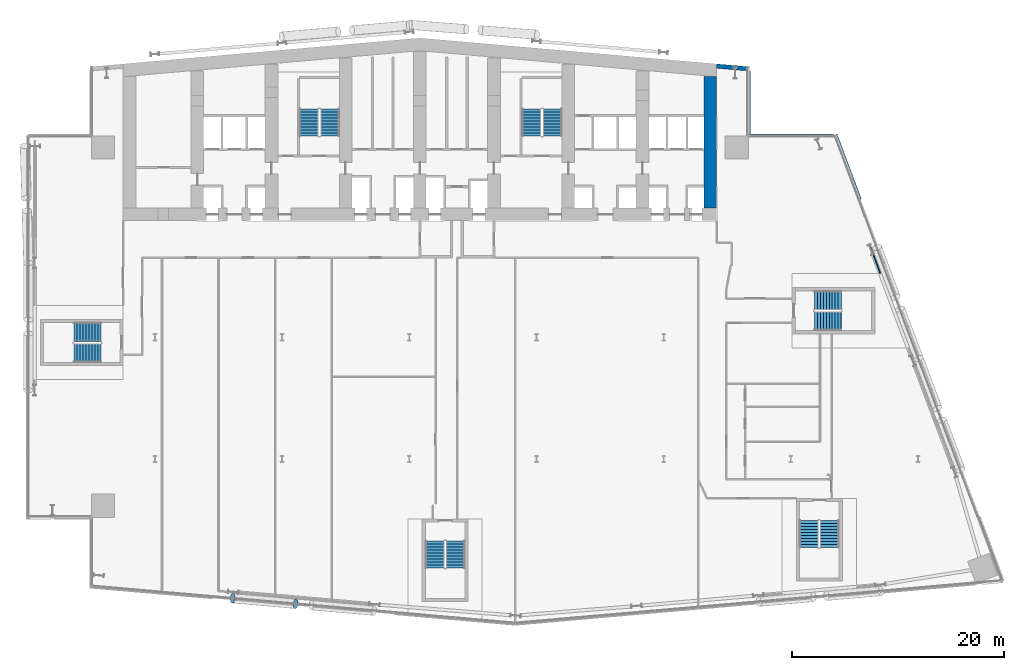
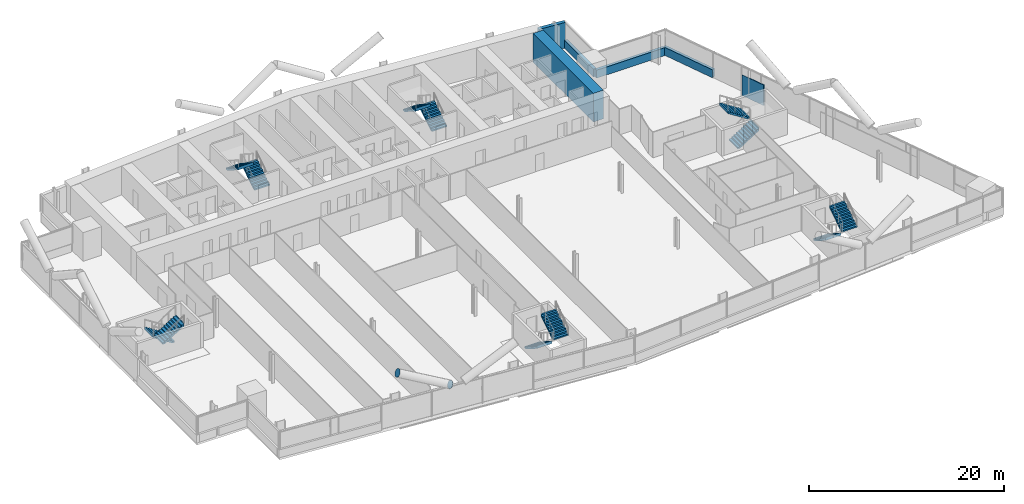
# One storey, part 18 of 25: 12 stair flights, 6 walls, 2 discrete accessories, 6 elements without a shape of their own.
"""IFC4 building model written with IfcOpenShell, lengths in metres."""

from ifc_helpers import new_model, si_unit, direction, frame, frame_2d, origin, origin_2d, place, context, subcontext, project, spatial, polyline, rectangle, circle, outline, extrude, material, layer, layer_set, material_profile, profile_set, type_object, element, aggregate, save


model = new_model("IFC4")

# Units and contexts
model_context = context("Model", 3, precision=1e-05, world=origin(), true_north=direction((0.0, 1.0)))
body_context = subcontext(model_context, "Body", "Model", "MODEL_VIEW")
ifc_project = project(units=[si_unit("LENGTHUNIT", "METRE"), si_unit("AREAUNIT", "SQUARE_METRE"), si_unit("VOLUMEUNIT", "CUBIC_METRE"), si_unit("PLANEANGLEUNIT", "RADIAN"), si_unit("MASSUNIT", "GRAM", prefix="KILO")], contexts=[model_context])

# Site, building, storey
site_placement = place(None, origin())
site = spatial("IfcSite", under=ifc_project, at=site_placement, CompositionType="ELEMENT")
building_placement = place(site_placement, origin())
building = spatial("IfcBuilding", under=site, at=building_placement, Name="Wharfspan Tower", CompositionType="ELEMENT")
storey_placement = place(building_placement, frame((0.0, 0.0, 63.100098)))
storey = spatial("IfcBuildingStorey", under=building, at=storey_placement, Name="L12", CompositionType="ELEMENT", Elevation=63.100098)

# Walls
ifc_material_1 = material(Name="Concrete C70/85", Category="concrete")
ifc_layer_1 = layer(ifc_material_1, 1.199951)
ifc_layer_set_1 = layer_set([ifc_layer_1], Name="Concrete C70/85")
wall_type_1 = type_object("IfcWallType", Name="Core wall 1200 C70/85", PredefinedType="SHEAR", material=ifc_layer_set_1)
wall_1_placement = place(storey_placement, frame((64.399902, 35.199951, 0.0), z_axis=(0.0, 0.0, 1.0), x_axis=(0.0, 1.0, 0.0)))
element("IfcWall", 1, at=wall_1_placement, inside=storey, type_object=wall_type_1, Name="Core cross wall EW1 L12", PredefinedType="SHEAR", context=body_context, shape_type="SweptSolid", body=[
    extrude(rectangle(XDim=12.382812, YDim=1.199951, at=frame_2d((6.191406, 0.0))), origin(), (0.0, 0.0, 1.0), 3.599854),
])
ifc_material_2 = material(Name="Gypsum board on steel studs", Category="steel")
ifc_layer_2 = layer(ifc_material_2, 0.100098)
ifc_layer_set_2 = layer_set([ifc_layer_2], Name="Gypsum board on steel studs")
wall_type_2 = type_object("IfcWallType", Name="Partition 100", PredefinedType="PARTITIONING", material=ifc_layer_set_2)
wall_2_placement = place(storey_placement, frame((80.44751, 29.02002, 0.0), z_axis=(0.0, 0.0, 1.0), x_axis=(-0.35129, 0.93627, 0.0)))
element("IfcWall", 2, at=wall_2_placement, inside=storey, type_object=wall_type_2, Name="Partition L12.w044", PredefinedType="PARTITIONING", context=body_context, shape_type="SweptSolid", body=[
    extrude(rectangle(XDim=2.910645, YDim=0.100098, at=frame_2d((1.455322, 0.0))), origin(), (0.0, 0.0, 1.0), 2.579834),
])
ifc_material_3 = material(Name="Concrete C40/50", Category="concrete")
ifc_layer_3 = layer(ifc_material_3, 0.350098)
ifc_layer_set_3 = layer_set([ifc_layer_3], Name="Concrete C40/50")
wall_type_3 = type_object("IfcWallType", Name="SPANDREL EXPOSED CONCRETE 350", PredefinedType="SOLIDWALL", material=ifc_layer_set_3)
wall_3_placement = place(storey_placement, frame((78.494141, 36.029785, 0.0), z_axis=(0.0, 0.0, 1.0), x_axis=(-0.351108, 0.936338, 0.0)))
element("IfcWall", 3, at=wall_3_placement, inside=storey, type_object=wall_type_3, Name="Spandrel upstand L12 E 2", PredefinedType="SOLIDWALL", context=body_context, shape_type="SweptSolid", body=[
    extrude(rectangle(XDim=6.50293, YDim=0.350098, at=frame_2d((3.251465, 0.0))), origin(), (0.0, 0.0, 1.0), 1.0),
])
wall_4_placement = place(storey_placement, frame((76.047119, 42.004883, 0.0), z_axis=(0.0, 0.0, 1.0), x_axis=(-1.0, 0.0, 0.0)))
element("IfcWall", 4, at=wall_4_placement, inside=storey, type_object=wall_type_3, Name="Spandrel upstand L12 NRE-H", PredefinedType="SOLIDWALL", context=body_context, shape_type="SweptSolid", body=[
    extrude(rectangle(XDim=8.047119, YDim=0.350098, at=frame_2d((4.023438, 0.0))), origin(), (0.0, 0.0, 1.0), 1.0),
])
wall_5_placement = place(storey_placement, frame((68.004883, 42.179932, 0.0), z_axis=(0.0, 0.0, 1.0), x_axis=(0.0, 1.0, 0.0)))
element("IfcWall", 5, at=wall_5_placement, inside=storey, type_object=wall_type_3, Name="Spandrel upstand L12 NRE-V", PredefinedType="SOLIDWALL", context=body_context, shape_type="SweptSolid", body=[
    extrude(rectangle(XDim=5.946533, YDim=0.350098, at=frame_2d((2.973145, 0.0))), origin(), (0.0, 0.0, 1.0), 1.0),
])
ifc_layer_4 = layer(ifc_material_3, 0.399902)
ifc_layer_set_4 = layer_set([ifc_layer_4], Name="Concrete C40/50")
wall_type_4 = type_object("IfcWallType", Name="WALL EXPOSED CONCRETE 400", PredefinedType="SOLIDWALL", material=ifc_layer_set_4)
wall_6_placement = place(storey_placement, frame((67.982666, 48.325684, 0.0), z_axis=(0.0, 0.0, 1.0), x_axis=(-0.996194, 0.087168, 0.0)))
element("IfcWall", 6, at=wall_6_placement, inside=storey, type_object=wall_type_4, Name="Rear wall N2", PredefinedType="SOLIDWALL", context=body_context, shape_type="SweptSolid", body=[
    extrude(rectangle(XDim=2.994141, YDim=0.399902, at=frame_2d((1.49707, 0.0))), origin(), (0.0, 0.0, 1.0), 3.199951),
])

# Stair, stair flights
stair_type = type_object("IfcStairType", Name="Half-turn stair 20 risers 180 mm", PredefinedType="HALF_TURN_STAIR", material=ifc_material_3)
stair_1_placement = place(storey_placement, origin())
stair_1 = element("IfcStair", 7, at=stair_1_placement, inside=storey, type_object=stair_type, Name="L12 stair ST1", PredefinedType="HALF_TURN_STAIR")
stair_flight_type = type_object("IfcStairFlightType", Name="Stair flight 20 risers 180 mm", PredefinedType="STRAIGHT", material=ifc_material_3)
stair_flight_1_placement = place(storey_placement, frame((28.5, 42.0, 0.0), z_axis=(0.0, 0.0, 1.0), x_axis=(0.0, 1.0, 0.0)))
stair_flight_1 = element("IfcStairFlight", 8, at=stair_flight_1_placement, type_object=stair_flight_type, Name="ST1 flight 1", NumberOfRisers=10, NumberOfTreads=9, PredefinedType="STRAIGHT", RiserHeight=0.18, TreadLength=0.28, context=body_context, shape_type="SweptSolid", body=[
    extrude(outline(polyline([(-0.011963, 0.0), (-0.011963, 0.179932), (0.0, 0.179932), (0.280029, 0.179932), (0.280029, 0.360107), (0.560059, 0.360107), (0.560059, 0.540039), (0.840088, 0.540039), (0.840088, 0.719971), (1.120117, 0.719971), (1.120117, 0.899902), (1.399902, 0.899902), (1.399902, 1.080078), (1.679932, 1.080078), (1.679932, 1.26001), (1.959961, 1.26001), (1.959961, 1.439941), (2.23999, 1.439941), (2.23999, 1.620117), (2.52002, 1.620117), (2.531982, 1.800049), (2.531982, 1.441895), (0.2771, 0.0), (-0.011963, 0.0)])), frame((0.0, 0.899902, 0.0), z_axis=(0.0, -1.0, 0.0), x_axis=(1.0, 0.0, 0.0)), (0.0, 0.0, 1.0), 0.899414),
    extrude(outline(polyline([(-0.011963, 0.0), (-0.011963, 0.179932), (0.0, 0.179932), (0.280029, 0.179932), (0.280029, 0.360107), (0.560059, 0.360107), (0.560059, 0.540039), (0.840088, 0.540039), (0.840088, 0.719971), (1.120117, 0.719971), (1.120117, 0.899902), (1.399902, 0.899902), (1.399902, 1.080078), (1.679932, 1.080078), (1.679932, 1.26001), (1.959961, 1.26001), (1.959961, 1.439941), (2.23999, 1.439941), (2.23999, 1.620117), (2.52002, 1.620117), (2.531982, 1.800049), (2.531982, 1.441895), (0.2771, 0.0), (-0.011963, 0.0)])), frame((0.0, -0.000488, 0.0), z_axis=(0.0, -1.0, 0.0), x_axis=(1.0, 0.0, 0.0)), (0.0, 0.0, 1.0), 0.899414),
])
stair_flight_2_placement = place(storey_placement, frame((26.550049, 44.52002, 1.799805), z_axis=(0.0, 0.0, 1.0), x_axis=(0.0, -1.0, 0.0)))
stair_flight_2 = element("IfcStairFlight", 9, at=stair_flight_2_placement, type_object=stair_flight_type, Name="ST1 flight 2", NumberOfRisers=10, NumberOfTreads=9, PredefinedType="STRAIGHT", RiserHeight=0.18, TreadLength=0.28, context=body_context, shape_type="SweptSolid", body=[
    extrude(outline(polyline([(-0.011963, 0.0), (-0.011963, 0.179932), (0.0, 0.179932), (0.280029, 0.179932), (0.280029, 0.360107), (0.560059, 0.360107), (0.560059, 0.540039), (0.840088, 0.540039), (0.840088, 0.719971), (1.120117, 0.719971), (1.120117, 0.899902), (1.399902, 0.899902), (1.399902, 1.080078), (1.679932, 1.080078), (1.679932, 1.26001), (1.959961, 1.26001), (1.959961, 1.439941), (2.23999, 1.439941), (2.23999, 1.620117), (2.52002, 1.620117), (2.531982, 1.800049), (2.531982, 1.441895), (0.2771, 0.0), (-0.011963, 0.0)])), frame((0.0, 0.899902, 0.0), z_axis=(0.0, -1.0, 0.0), x_axis=(1.0, 0.0, 0.0)), (0.0, 0.0, 1.0), 0.899414),
    extrude(outline(polyline([(-0.011963, 0.0), (-0.011963, 0.179932), (0.0, 0.179932), (0.280029, 0.179932), (0.280029, 0.360107), (0.560059, 0.360107), (0.560059, 0.540039), (0.840088, 0.540039), (0.840088, 0.719971), (1.120117, 0.719971), (1.120117, 0.899902), (1.399902, 0.899902), (1.399902, 1.080078), (1.679932, 1.080078), (1.679932, 1.26001), (1.959961, 1.26001), (1.959961, 1.439941), (2.23999, 1.439941), (2.23999, 1.620117), (2.52002, 1.620117), (2.531982, 1.800049), (2.531982, 1.441895), (0.2771, 0.0), (-0.011963, 0.0)])), frame((0.0, -0.000488, 0.0), z_axis=(0.0, -1.0, 0.0), x_axis=(1.0, 0.0, 0.0)), (0.0, 0.0, 1.0), 0.899414),
])
aggregate(stair_1, [stair_flight_1, stair_flight_2])

stair_2_placement = place(storey_placement, origin())
stair_2 = element("IfcStair", 10, at=stair_2_placement, inside=storey, type_object=stair_type, Name="L12 stair ST2", PredefinedType="HALF_TURN_STAIR")
stair_flight_3_placement = place(storey_placement, frame((49.5, 42.0, 0.0), z_axis=(0.0, 0.0, 1.0), x_axis=(0.0, 1.0, 0.0)))
stair_flight_3 = element("IfcStairFlight", 11, at=stair_flight_3_placement, type_object=stair_flight_type, Name="ST2 flight 1", NumberOfRisers=10, NumberOfTreads=9, PredefinedType="STRAIGHT", RiserHeight=0.18, TreadLength=0.28, context=body_context, shape_type="SweptSolid", body=[
    extrude(outline(polyline([(-0.011963, 0.0), (-0.011963, 0.179932), (0.0, 0.179932), (0.280029, 0.179932), (0.280029, 0.360107), (0.560059, 0.360107), (0.560059, 0.540039), (0.840088, 0.540039), (0.840088, 0.719971), (1.120117, 0.719971), (1.120117, 0.899902), (1.399902, 0.899902), (1.399902, 1.080078), (1.679932, 1.080078), (1.679932, 1.26001), (1.959961, 1.26001), (1.959961, 1.439941), (2.23999, 1.439941), (2.23999, 1.620117), (2.52002, 1.620117), (2.531982, 1.800049), (2.531982, 1.441895), (0.2771, 0.0), (-0.011963, 0.0)])), frame((0.0, 0.899902, 0.0), z_axis=(0.0, -1.0, 0.0), x_axis=(1.0, 0.0, 0.0)), (0.0, 0.0, 1.0), 0.899414),
    extrude(outline(polyline([(-0.011963, 0.0), (-0.011963, 0.179932), (0.0, 0.179932), (0.280029, 0.179932), (0.280029, 0.360107), (0.560059, 0.360107), (0.560059, 0.540039), (0.840088, 0.540039), (0.840088, 0.719971), (1.120117, 0.719971), (1.120117, 0.899902), (1.399902, 0.899902), (1.399902, 1.080078), (1.679932, 1.080078), (1.679932, 1.26001), (1.959961, 1.26001), (1.959961, 1.439941), (2.23999, 1.439941), (2.23999, 1.620117), (2.52002, 1.620117), (2.531982, 1.800049), (2.531982, 1.441895), (0.2771, 0.0), (-0.011963, 0.0)])), frame((0.0, -0.000488, 0.0), z_axis=(0.0, -1.0, 0.0), x_axis=(1.0, 0.0, 0.0)), (0.0, 0.0, 1.0), 0.899414),
])
stair_flight_4_placement = place(storey_placement, frame((47.550049, 44.52002, 1.799805), z_axis=(0.0, 0.0, 1.0), x_axis=(0.0, -1.0, 0.0)))
stair_flight_4 = element("IfcStairFlight", 12, at=stair_flight_4_placement, type_object=stair_flight_type, Name="ST2 flight 2", NumberOfRisers=10, NumberOfTreads=9, PredefinedType="STRAIGHT", RiserHeight=0.18, TreadLength=0.28, context=body_context, shape_type="SweptSolid", body=[
    extrude(outline(polyline([(-0.011963, 0.0), (-0.011963, 0.179932), (0.0, 0.179932), (0.280029, 0.179932), (0.280029, 0.360107), (0.560059, 0.360107), (0.560059, 0.540039), (0.840088, 0.540039), (0.840088, 0.719971), (1.120117, 0.719971), (1.120117, 0.899902), (1.399902, 0.899902), (1.399902, 1.080078), (1.679932, 1.080078), (1.679932, 1.26001), (1.959961, 1.26001), (1.959961, 1.439941), (2.23999, 1.439941), (2.23999, 1.620117), (2.52002, 1.620117), (2.531982, 1.800049), (2.531982, 1.441895), (0.2771, 0.0), (-0.011963, 0.0)])), frame((0.0, 0.899902, 0.0), z_axis=(0.0, -1.0, 0.0), x_axis=(1.0, 0.0, 0.0)), (0.0, 0.0, 1.0), 0.899414),
    extrude(outline(polyline([(-0.011963, 0.0), (-0.011963, 0.179932), (0.0, 0.179932), (0.280029, 0.179932), (0.280029, 0.360107), (0.560059, 0.360107), (0.560059, 0.540039), (0.840088, 0.540039), (0.840088, 0.719971), (1.120117, 0.719971), (1.120117, 0.899902), (1.399902, 0.899902), (1.399902, 1.080078), (1.679932, 1.080078), (1.679932, 1.26001), (1.959961, 1.26001), (1.959961, 1.439941), (2.23999, 1.439941), (2.23999, 1.620117), (2.52002, 1.620117), (2.531982, 1.800049), (2.531982, 1.441895), (0.2771, 0.0), (-0.011963, 0.0)])), frame((0.0, -0.000488, 0.0), z_axis=(0.0, -1.0, 0.0), x_axis=(1.0, 0.0, 0.0)), (0.0, 0.0, 1.0), 0.899414),
])
aggregate(stair_2, [stair_flight_3, stair_flight_4])

stair_3_placement = place(storey_placement, origin())
stair_3 = element("IfcStair", 13, at=stair_3_placement, inside=storey, type_object=stair_type, Name="L12 stair ST3", PredefinedType="HALF_TURN_STAIR")
stair_flight_5_placement = place(storey_placement, frame((6.899902, 23.475098, 0.0), z_axis=(0.0, 0.0, 1.0), x_axis=(-1.0, 0.0, 0.0)))
stair_flight_5 = element("IfcStairFlight", 14, at=stair_flight_5_placement, type_object=stair_flight_type, Name="ST3 flight 1", NumberOfRisers=10, NumberOfTreads=9, PredefinedType="STRAIGHT", RiserHeight=0.18, TreadLength=0.28, context=body_context, shape_type="SweptSolid", body=[
    extrude(outline(polyline([(-0.011963, 0.0), (-0.011963, 0.179932), (0.0, 0.179932), (0.280029, 0.179932), (0.280029, 0.360107), (0.560059, 0.360107), (0.560059, 0.540039), (0.840088, 0.540039), (0.840088, 0.719971), (1.120117, 0.719971), (1.120117, 0.899902), (1.399902, 0.899902), (1.399902, 1.080078), (1.679932, 1.080078), (1.679932, 1.26001), (1.959961, 1.26001), (1.959961, 1.439941), (2.23999, 1.439941), (2.23999, 1.620117), (2.52002, 1.620117), (2.531982, 1.800049), (2.531982, 1.441895), (0.2771, 0.0), (-0.011963, 0.0)])), frame((0.0, 0.899902, 0.0), z_axis=(0.0, -1.0, 0.0), x_axis=(1.0, 0.0, 0.0)), (0.0, 0.0, 1.0), 0.899414),
    extrude(outline(polyline([(-0.011963, 0.0), (-0.011963, 0.179932), (0.0, 0.179932), (0.280029, 0.179932), (0.280029, 0.360107), (0.560059, 0.360107), (0.560059, 0.540039), (0.840088, 0.540039), (0.840088, 0.719971), (1.120117, 0.719971), (1.120117, 0.899902), (1.399902, 0.899902), (1.399902, 1.080078), (1.679932, 1.080078), (1.679932, 1.26001), (1.959961, 1.26001), (1.959961, 1.439941), (2.23999, 1.439941), (2.23999, 1.620117), (2.52002, 1.620117), (2.531982, 1.800049), (2.531982, 1.441895), (0.2771, 0.0), (-0.011963, 0.0)])), frame((0.0, -0.000488, 0.0), z_axis=(0.0, -1.0, 0.0), x_axis=(1.0, 0.0, 0.0)), (0.0, 0.0, 1.0), 0.899414),
])
stair_flight_6_placement = place(storey_placement, frame((4.379883, 21.524902, 1.799805), z_axis=(0.0, 0.0, 1.0), x_axis=(1.0, 0.0, 0.0)))
stair_flight_6 = element("IfcStairFlight", 15, at=stair_flight_6_placement, type_object=stair_flight_type, Name="ST3 flight 2", NumberOfRisers=10, NumberOfTreads=9, PredefinedType="STRAIGHT", RiserHeight=0.18, TreadLength=0.28, context=body_context, shape_type="SweptSolid", body=[
    extrude(outline(polyline([(-0.011963, 0.0), (-0.011963, 0.179932), (0.0, 0.179932), (0.280029, 0.179932), (0.280029, 0.360107), (0.560059, 0.360107), (0.560059, 0.540039), (0.840088, 0.540039), (0.840088, 0.719971), (1.120117, 0.719971), (1.120117, 0.899902), (1.399902, 0.899902), (1.399902, 1.080078), (1.679932, 1.080078), (1.679932, 1.26001), (1.959961, 1.26001), (1.959961, 1.439941), (2.23999, 1.439941), (2.23999, 1.620117), (2.52002, 1.620117), (2.531982, 1.800049), (2.531982, 1.441895), (0.2771, 0.0), (-0.011963, 0.0)])), frame((0.0, 0.899902, 0.0), z_axis=(0.0, -1.0, 0.0), x_axis=(1.0, 0.0, 0.0)), (0.0, 0.0, 1.0), 0.899414),
    extrude(outline(polyline([(-0.011963, 0.0), (-0.011963, 0.179932), (0.0, 0.179932), (0.280029, 0.179932), (0.280029, 0.360107), (0.560059, 0.360107), (0.560059, 0.540039), (0.840088, 0.540039), (0.840088, 0.719971), (1.120117, 0.719971), (1.120117, 0.899902), (1.399902, 0.899902), (1.399902, 1.080078), (1.679932, 1.080078), (1.679932, 1.26001), (1.959961, 1.26001), (1.959961, 1.439941), (2.23999, 1.439941), (2.23999, 1.620117), (2.52002, 1.620117), (2.531982, 1.800049), (2.531982, 1.441895), (0.2771, 0.0), (-0.011963, 0.0)])), frame((0.0, -0.000488, 0.0), z_axis=(0.0, -1.0, 0.0), x_axis=(1.0, 0.0, 0.0)), (0.0, 0.0, 1.0), 0.899414),
])
aggregate(stair_3, [stair_flight_5, stair_flight_6])

stair_4_placement = place(storey_placement, origin())
stair_4 = element("IfcStair", 16, at=stair_4_placement, inside=storey, type_object=stair_type, Name="L12 stair ST4", PredefinedType="HALF_TURN_STAIR")
stair_flight_7_placement = place(storey_placement, frame((38.408203, 3.760498, 0.0), z_axis=(0.0, 0.0, 1.0), x_axis=(0.0, -1.0, 0.0)))
stair_flight_7 = element("IfcStairFlight", 17, at=stair_flight_7_placement, type_object=stair_flight_type, Name="ST4 flight 1", NumberOfRisers=10, NumberOfTreads=9, PredefinedType="STRAIGHT", RiserHeight=0.18, TreadLength=0.28, context=body_context, shape_type="SweptSolid", body=[
    extrude(outline(polyline([(-0.011963, 0.0), (-0.011963, 0.179932), (0.0, 0.179932), (0.280029, 0.179932), (0.280029, 0.360107), (0.560059, 0.360107), (0.560059, 0.540039), (0.840088, 0.540039), (0.840088, 0.719971), (1.120117, 0.719971), (1.120117, 0.899902), (1.399902, 0.899902), (1.399902, 1.080078), (1.679932, 1.080078), (1.679932, 1.26001), (1.959961, 1.26001), (1.959961, 1.439941), (2.23999, 1.439941), (2.23999, 1.620117), (2.52002, 1.620117), (2.531982, 1.800049), (2.531982, 1.441895), (0.2771, 0.0), (-0.011963, 0.0)])), frame((0.0, 0.899902, 0.0), z_axis=(0.0, -1.0, 0.0), x_axis=(1.0, 0.0, 0.0)), (0.0, 0.0, 1.0), 0.899414),
    extrude(outline(polyline([(-0.011963, 0.0), (-0.011963, 0.179932), (0.0, 0.179932), (0.280029, 0.179932), (0.280029, 0.360107), (0.560059, 0.360107), (0.560059, 0.540039), (0.840088, 0.540039), (0.840088, 0.719971), (1.120117, 0.719971), (1.120117, 0.899902), (1.399902, 0.899902), (1.399902, 1.080078), (1.679932, 1.080078), (1.679932, 1.26001), (1.959961, 1.26001), (1.959961, 1.439941), (2.23999, 1.439941), (2.23999, 1.620117), (2.52002, 1.620117), (2.531982, 1.800049), (2.531982, 1.441895), (0.2771, 0.0), (-0.011963, 0.0)])), frame((0.0, -0.000488, 0.0), z_axis=(0.0, -1.0, 0.0), x_axis=(1.0, 0.0, 0.0)), (0.0, 0.0, 1.0), 0.899414),
])
stair_flight_8_placement = place(storey_placement, frame((40.358398, 1.240723, 1.799805), z_axis=(0.0, 0.0, 1.0), x_axis=(0.0, 1.0, 0.0)))
stair_flight_8 = element("IfcStairFlight", 18, at=stair_flight_8_placement, type_object=stair_flight_type, Name="ST4 flight 2", NumberOfRisers=10, NumberOfTreads=9, PredefinedType="STRAIGHT", RiserHeight=0.18, TreadLength=0.28, context=body_context, shape_type="SweptSolid", body=[
    extrude(outline(polyline([(-0.011963, 0.0), (-0.011963, 0.179932), (0.0, 0.179932), (0.280029, 0.179932), (0.280029, 0.360107), (0.560059, 0.360107), (0.560059, 0.540039), (0.840088, 0.540039), (0.840088, 0.719971), (1.120117, 0.719971), (1.120117, 0.899902), (1.399902, 0.899902), (1.399902, 1.080078), (1.679932, 1.080078), (1.679932, 1.26001), (1.959961, 1.26001), (1.959961, 1.439941), (2.23999, 1.439941), (2.23999, 1.620117), (2.52002, 1.620117), (2.531982, 1.800049), (2.531982, 1.441895), (0.2771, 0.0), (-0.011963, 0.0)])), frame((0.0, 0.899902, 0.0), z_axis=(0.0, -1.0, 0.0), x_axis=(1.0, 0.0, 0.0)), (0.0, 0.0, 1.0), 0.899414),
    extrude(outline(polyline([(-0.011963, 0.0), (-0.011963, 0.179932), (0.0, 0.179932), (0.280029, 0.179932), (0.280029, 0.360107), (0.560059, 0.360107), (0.560059, 0.540039), (0.840088, 0.540039), (0.840088, 0.719971), (1.120117, 0.719971), (1.120117, 0.899902), (1.399902, 0.899902), (1.399902, 1.080078), (1.679932, 1.080078), (1.679932, 1.26001), (1.959961, 1.26001), (1.959961, 1.439941), (2.23999, 1.439941), (2.23999, 1.620117), (2.52002, 1.620117), (2.531982, 1.800049), (2.531982, 1.441895), (0.2771, 0.0), (-0.011963, 0.0)])), frame((0.0, -0.000488, 0.0), z_axis=(0.0, -1.0, 0.0), x_axis=(1.0, 0.0, 0.0)), (0.0, 0.0, 1.0), 0.899414),
])
aggregate(stair_4, [stair_flight_7, stair_flight_8])

stair_5_placement = place(storey_placement, origin())
stair_5 = element("IfcStair", 19, at=stair_5_placement, inside=storey, type_object=stair_type, Name="L12 stair ST5", PredefinedType="HALF_TURN_STAIR")
stair_flight_9_placement = place(storey_placement, frame((73.717529, 5.691895, 0.0), z_axis=(0.0, 0.0, 1.0), x_axis=(0.0, -1.0, 0.0)))
stair_flight_9 = element("IfcStairFlight", 20, at=stair_flight_9_placement, type_object=stair_flight_type, Name="ST5 flight 1", NumberOfRisers=10, NumberOfTreads=9, PredefinedType="STRAIGHT", RiserHeight=0.18, TreadLength=0.28, context=body_context, shape_type="SweptSolid", body=[
    extrude(outline(polyline([(-0.011963, 0.0), (-0.011963, 0.179932), (0.0, 0.179932), (0.280029, 0.179932), (0.280029, 0.360107), (0.560059, 0.360107), (0.560059, 0.540039), (0.840088, 0.540039), (0.840088, 0.719971), (1.120117, 0.719971), (1.120117, 0.899902), (1.399902, 0.899902), (1.399902, 1.080078), (1.679932, 1.080078), (1.679932, 1.26001), (1.959961, 1.26001), (1.959961, 1.439941), (2.23999, 1.439941), (2.23999, 1.620117), (2.52002, 1.620117), (2.531982, 1.800049), (2.531982, 1.441895), (0.2771, 0.0), (-0.011963, 0.0)])), frame((0.0, 0.899902, 0.0), z_axis=(0.0, -1.0, 0.0), x_axis=(1.0, 0.0, 0.0)), (0.0, 0.0, 1.0), 0.899414),
    extrude(outline(polyline([(-0.011963, 0.0), (-0.011963, 0.179932), (0.0, 0.179932), (0.280029, 0.179932), (0.280029, 0.360107), (0.560059, 0.360107), (0.560059, 0.540039), (0.840088, 0.540039), (0.840088, 0.719971), (1.120117, 0.719971), (1.120117, 0.899902), (1.399902, 0.899902), (1.399902, 1.080078), (1.679932, 1.080078), (1.679932, 1.26001), (1.959961, 1.26001), (1.959961, 1.439941), (2.23999, 1.439941), (2.23999, 1.620117), (2.52002, 1.620117), (2.531982, 1.800049), (2.531982, 1.441895), (0.2771, 0.0), (-0.011963, 0.0)])), frame((0.0, -0.000488, 0.0), z_axis=(0.0, -1.0, 0.0), x_axis=(1.0, 0.0, 0.0)), (0.0, 0.0, 1.0), 0.899414),
])
stair_flight_10_placement = place(storey_placement, frame((75.66748, 3.172119, 1.799805), z_axis=(0.0, 0.0, 1.0), x_axis=(0.0, 1.0, 0.0)))
stair_flight_10 = element("IfcStairFlight", 21, at=stair_flight_10_placement, type_object=stair_flight_type, Name="ST5 flight 2", NumberOfRisers=10, NumberOfTreads=9, PredefinedType="STRAIGHT", RiserHeight=0.18, TreadLength=0.28, context=body_context, shape_type="SweptSolid", body=[
    extrude(outline(polyline([(-0.011963, 0.0), (-0.011963, 0.179932), (0.0, 0.179932), (0.280029, 0.179932), (0.280029, 0.360107), (0.560059, 0.360107), (0.560059, 0.540039), (0.840088, 0.540039), (0.840088, 0.719971), (1.120117, 0.719971), (1.120117, 0.899902), (1.399902, 0.899902), (1.399902, 1.080078), (1.679932, 1.080078), (1.679932, 1.26001), (1.959961, 1.26001), (1.959961, 1.439941), (2.23999, 1.439941), (2.23999, 1.620117), (2.52002, 1.620117), (2.531982, 1.800049), (2.531982, 1.441895), (0.2771, 0.0), (-0.011963, 0.0)])), frame((0.0, 0.899902, 0.0), z_axis=(0.0, -1.0, 0.0), x_axis=(1.0, 0.0, 0.0)), (0.0, 0.0, 1.0), 0.899414),
    extrude(outline(polyline([(-0.011963, 0.0), (-0.011963, 0.179932), (0.0, 0.179932), (0.280029, 0.179932), (0.280029, 0.360107), (0.560059, 0.360107), (0.560059, 0.540039), (0.840088, 0.540039), (0.840088, 0.719971), (1.120117, 0.719971), (1.120117, 0.899902), (1.399902, 0.899902), (1.399902, 1.080078), (1.679932, 1.080078), (1.679932, 1.26001), (1.959961, 1.26001), (1.959961, 1.439941), (2.23999, 1.439941), (2.23999, 1.620117), (2.52002, 1.620117), (2.531982, 1.800049), (2.531982, 1.441895), (0.2771, 0.0), (-0.011963, 0.0)])), frame((0.0, -0.000488, 0.0), z_axis=(0.0, -1.0, 0.0), x_axis=(1.0, 0.0, 0.0)), (0.0, 0.0, 1.0), 0.899414),
])
aggregate(stair_5, [stair_flight_9, stair_flight_10])

stair_6_placement = place(storey_placement, origin())
stair_6 = element("IfcStair", 22, at=stair_6_placement, inside=storey, type_object=stair_type, Name="L12 stair ST6", PredefinedType="HALF_TURN_STAIR")
stair_flight_11_placement = place(storey_placement, frame((74.225098, 24.524902, 0.0), z_axis=(0.0, 0.0, 1.0), x_axis=(1.0, 0.0, 0.0)))
stair_flight_11 = element("IfcStairFlight", 23, at=stair_flight_11_placement, type_object=stair_flight_type, Name="ST6 flight 1", NumberOfRisers=10, NumberOfTreads=9, PredefinedType="STRAIGHT", RiserHeight=0.18, TreadLength=0.28, context=body_context, shape_type="SweptSolid", body=[
    extrude(outline(polyline([(-0.011963, 0.0), (-0.011963, 0.179932), (0.0, 0.179932), (0.280029, 0.179932), (0.280029, 0.360107), (0.560059, 0.360107), (0.560059, 0.540039), (0.840088, 0.540039), (0.840088, 0.719971), (1.120117, 0.719971), (1.120117, 0.899902), (1.399902, 0.899902), (1.399902, 1.080078), (1.679932, 1.080078), (1.679932, 1.26001), (1.959961, 1.26001), (1.959961, 1.439941), (2.23999, 1.439941), (2.23999, 1.620117), (2.52002, 1.620117), (2.531982, 1.800049), (2.531982, 1.441895), (0.2771, 0.0), (-0.011963, 0.0)])), frame((0.0, 0.899902, 0.0), z_axis=(0.0, -1.0, 0.0), x_axis=(1.0, 0.0, 0.0)), (0.0, 0.0, 1.0), 0.899414),
    extrude(outline(polyline([(-0.011963, 0.0), (-0.011963, 0.179932), (0.0, 0.179932), (0.280029, 0.179932), (0.280029, 0.360107), (0.560059, 0.360107), (0.560059, 0.540039), (0.840088, 0.540039), (0.840088, 0.719971), (1.120117, 0.719971), (1.120117, 0.899902), (1.399902, 0.899902), (1.399902, 1.080078), (1.679932, 1.080078), (1.679932, 1.26001), (1.959961, 1.26001), (1.959961, 1.439941), (2.23999, 1.439941), (2.23999, 1.620117), (2.52002, 1.620117), (2.531982, 1.800049), (2.531982, 1.441895), (0.2771, 0.0), (-0.011963, 0.0)])), frame((0.0, -0.000488, 0.0), z_axis=(0.0, -1.0, 0.0), x_axis=(1.0, 0.0, 0.0)), (0.0, 0.0, 1.0), 0.899414),
])
stair_flight_12_placement = place(storey_placement, frame((76.745117, 26.475098, 1.799805), z_axis=(0.0, 0.0, 1.0), x_axis=(-1.0, 0.0, 0.0)))
stair_flight_12 = element("IfcStairFlight", 24, at=stair_flight_12_placement, type_object=stair_flight_type, Name="ST6 flight 2", NumberOfRisers=10, NumberOfTreads=9, PredefinedType="STRAIGHT", RiserHeight=0.18, TreadLength=0.28, context=body_context, shape_type="SweptSolid", body=[
    extrude(outline(polyline([(-0.011963, 0.0), (-0.011963, 0.179932), (0.0, 0.179932), (0.280029, 0.179932), (0.280029, 0.360107), (0.560059, 0.360107), (0.560059, 0.540039), (0.840088, 0.540039), (0.840088, 0.719971), (1.120117, 0.719971), (1.120117, 0.899902), (1.399902, 0.899902), (1.399902, 1.080078), (1.679932, 1.080078), (1.679932, 1.26001), (1.959961, 1.26001), (1.959961, 1.439941), (2.23999, 1.439941), (2.23999, 1.620117), (2.52002, 1.620117), (2.531982, 1.800049), (2.531982, 1.441895), (0.2771, 0.0), (-0.011963, 0.0)])), frame((0.0, 0.899902, 0.0), z_axis=(0.0, -1.0, 0.0), x_axis=(1.0, 0.0, 0.0)), (0.0, 0.0, 1.0), 0.899414),
    extrude(outline(polyline([(-0.011963, 0.0), (-0.011963, 0.179932), (0.0, 0.179932), (0.280029, 0.179932), (0.280029, 0.360107), (0.560059, 0.360107), (0.560059, 0.540039), (0.840088, 0.540039), (0.840088, 0.719971), (1.120117, 0.719971), (1.120117, 0.899902), (1.399902, 0.899902), (1.399902, 1.080078), (1.679932, 1.080078), (1.679932, 1.26001), (1.959961, 1.26001), (1.959961, 1.439941), (2.23999, 1.439941), (2.23999, 1.620117), (2.52002, 1.620117), (2.531982, 1.800049), (2.531982, 1.441895), (0.2771, 0.0), (-0.011963, 0.0)])), frame((0.0, -0.000488, 0.0), z_axis=(0.0, -1.0, 0.0), x_axis=(1.0, 0.0, 0.0)), (0.0, 0.0, 1.0), 0.899414),
])
aggregate(stair_6, [stair_flight_11, stair_flight_12])

# Discrete accessories
ifc_material_4 = material(Name="Steel S460NH", Category="steel")
ifc_material_profile = material_profile(ifc_material_4, circle(Radius=0.457031, at=origin_2d()))
ifc_profile_set = profile_set([ifc_material_profile], Name="Steel S460NH")
discrete_accessory_type = type_object("IfcDiscreteAccessoryType", Name="End plate CHS 914x40", PredefinedType="BRACKET", material=ifc_profile_set)
for number, where, z_axis, x_axis, name in (
    (25, (25.271973, -2.155762, 3.295654), (-0.881993, 0.073499, 0.465496), (-0.083046, -0.996545, -2e-06), "End plate CHS 914x40"),
    (26, (19.338135, -1.636719, 6.5), (-0.881993, 0.073499, 0.465496), (-0.083046, -0.996545, -2e-06), "End plate CHS 914x40"),
):
    element("IfcDiscreteAccessory", number, at=place(storey_placement, frame(where, z_axis=z_axis, x_axis=x_axis)), inside=storey, type_object=discrete_accessory_type, Name=name, PredefinedType="BRACKET", context=body_context, shape_type="SweptSolid", body=[
        extrude(circle(Radius=0.457031, at=origin_2d()), origin(), (0.0, 0.0, 1.0), 0.01001),
    ])

save(model, "model.ifc")
